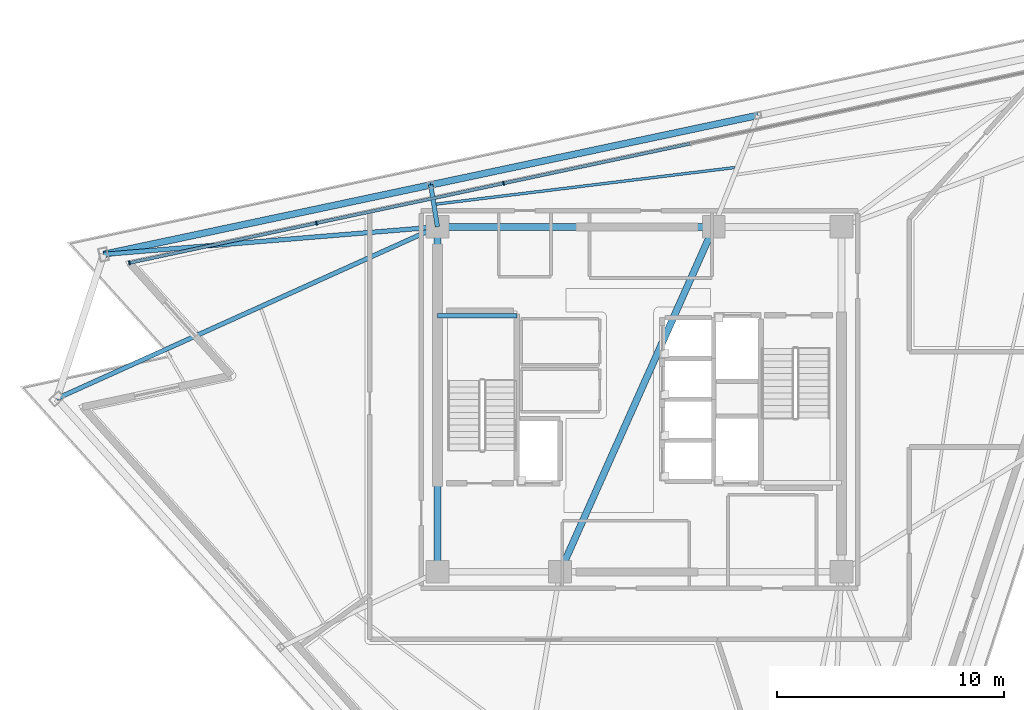
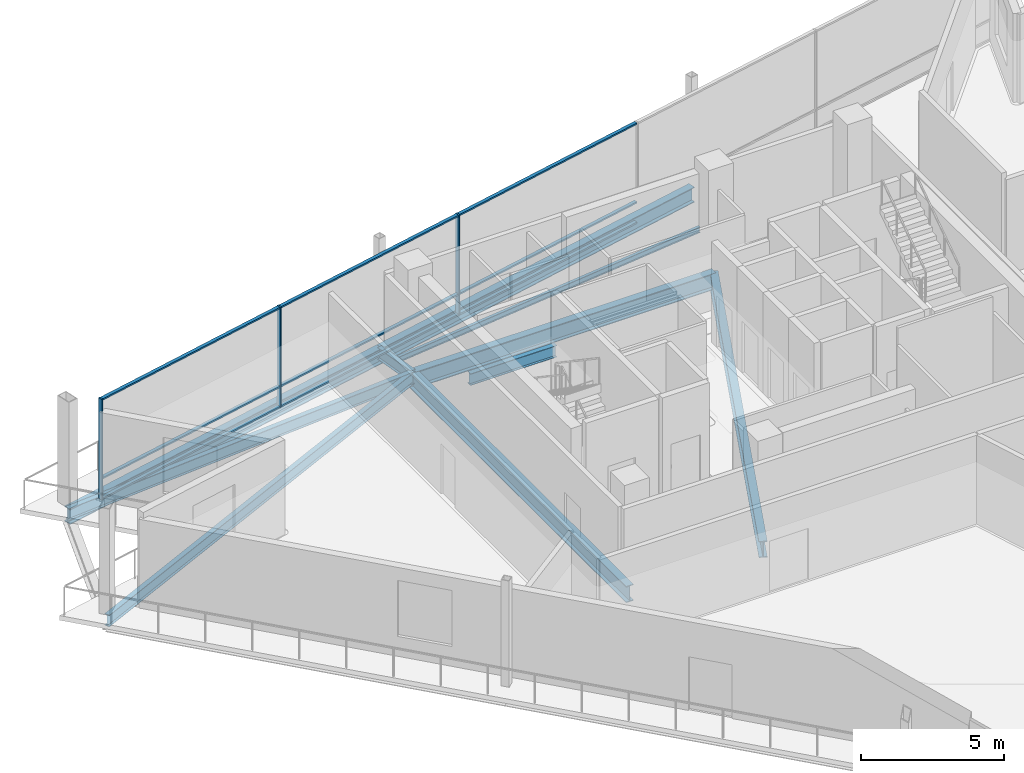
# One storey, part 4 of 11: 12 members, 10 beams, 1 element without a shape of its own.
"""IFC4 building model written with IfcOpenShell, lengths in metres."""

from ifc_helpers import new_model, si_unit, direction, frame, origin, origin_2d, place, context, subcontext, project, spatial, rectangle, i_section, extrude, material, layer, layer_set, material_profile, profile_set, type_object, element, aggregate, save


model = new_model("IFC4")

# Units and contexts
model_context = context("Model", 3, precision=1e-05, world=origin(), true_north=direction((0.0, 1.0)))
body_context = subcontext(model_context, "Body", "Model", "MODEL_VIEW")
ifc_project = project(units=[si_unit("LENGTHUNIT", "METRE"), si_unit("AREAUNIT", "SQUARE_METRE"), si_unit("VOLUMEUNIT", "CUBIC_METRE"), si_unit("PLANEANGLEUNIT", "RADIAN"), si_unit("MASSUNIT", "GRAM", prefix="KILO")], contexts=[model_context])

# Site, building, storey
site_placement = place(None, origin())
site = spatial("IfcSite", under=ifc_project, at=site_placement, CompositionType="ELEMENT")
building_placement = place(site_placement, origin())
building = spatial("IfcBuilding", under=site, at=building_placement, Name="Tharavind Bronze Gate", CompositionType="ELEMENT")
storey_placement = place(building_placement, frame((0.0, 0.0, 306.300048828125)))
storey = spatial("IfcBuildingStorey", under=building, at=storey_placement, Name="L79", CompositionType="ELEMENT", Elevation=306.300048828125)

# Curtain wall, members
ifc_material_1 = material(Name="Anodised Bronze Aluminium", Category="aluminium")
ifc_layer = layer(ifc_material_1, 0.219970703125)
ifc_layer_set = layer_set([ifc_layer], Name="Anodised Bronze Aluminium")
curtain_wall_type = type_object("IfcCurtainWallType", Name="UNITISED CURTAIN WALL CROWN", PredefinedType="USERDEFINED", material=ifc_layer_set)
curtain_wall_placement = place(storey_placement, origin())
curtain_wall = element("IfcCurtainWall", 1, at=curtain_wall_placement, inside=storey, type_object=curtain_wall_type, Name="L79 unitised curtain wall crown CW-L79-S3", ObjectType="UNITISED CURTAIN WALL", PredefinedType="USERDEFINED")
member_type_1 = type_object("IfcMemberType", Name="CURTAIN WALL BRONZE MULLION 65X180", PredefinedType="MULLION", material=ifc_material_1)
member_1_placement = place(storey_placement, frame((-5.985595703125, 9.518310546875, 0.0), z_axis=(0.0, 0.0, 1.0), x_axis=(-0.978147600734, -0.207911690818, 0.0)))
member_1 = element("IfcMember", 2, at=member_1_placement, type_object=member_type_1, Name="CW-L79-S3 mullion 4", PredefinedType="MULLION", context=body_context, shape_type="SweptSolid", body=[
    extrude(rectangle(XDim=0.06494140625, YDim=0.179931640625, at=origin_2d()), origin(), (0.0, 0.0, 1.0), 4.31005859375),
])
member_2_placement = place(storey_placement, frame((-14.2294921875, 7.76611328125, 0.0), z_axis=(0.0, 0.0, 1.0), x_axis=(-0.978147600734, -0.207911690818, 0.0)))
member_2 = element("IfcMember", 3, at=member_2_placement, type_object=member_type_1, Name="CW-L79-S3 mullion 5", PredefinedType="MULLION", context=body_context, shape_type="SweptSolid", body=[
    extrude(rectangle(XDim=0.06494140625, YDim=0.179931640625, at=origin_2d()), origin(), (0.0, 0.0, 1.0), 4.31005859375),
])
member_3_placement = place(storey_placement, frame((-22.47314453125, 6.013916015625, 0.0), z_axis=(0.0, 0.0, 1.0), x_axis=(-0.978147600734, -0.207911690818, 0.0)))
member_3 = element("IfcMember", 4, at=member_3_placement, type_object=member_type_1, Name="CW-L79-S3 mullion 6", PredefinedType="MULLION", context=body_context, shape_type="SweptSolid", body=[
    extrude(rectangle(XDim=0.06494140625, YDim=0.179931640625, at=origin_2d()), origin(), (0.0, 0.0, 1.0), 4.31005859375),
])
member_type_2 = type_object("IfcMemberType", Name="CURTAIN WALL BRONZE TRANSOM 65X140", PredefinedType="USERDEFINED", material=ifc_material_1)
member_4_placement = place(storey_placement, frame((-1.86376953125, 10.39453125, 0.0), z_axis=(0.0, 0.0, 1.0), x_axis=(-0.978147600734, -0.207911690818, 0.0)))
member_4 = element("IfcMember", 5, at=member_4_placement, type_object=member_type_2, Name="CW-L79-S3 transom TB3", ObjectType="TRANSOM", PredefinedType="USERDEFINED", context=body_context, shape_type="SweptSolid", body=[
    extrude(rectangle(XDim=8.375, YDim=0.139892578125, at=origin_2d()), origin(), (0.0, 0.0, 1.0), 0.06494140625),
])
member_5_placement = place(storey_placement, frame((-1.86376953125, 10.39453125, 0.867431640625), z_axis=(0.0, 0.0, 1.0), x_axis=(-0.978147600734, -0.207911690818, 0.0)))
member_5 = element("IfcMember", 6, at=member_5_placement, type_object=member_type_2, Name="CW-L79-S3 transom TS3", ObjectType="TRANSOM", PredefinedType="USERDEFINED", context=body_context, shape_type="SweptSolid", body=[
    extrude(rectangle(XDim=8.375, YDim=0.139892578125, at=origin_2d()), origin(), (0.0, 0.0, 1.0), 0.06494140625),
])
member_6_placement = place(storey_placement, frame((-1.86376953125, 10.39453125, 4.244873046875), z_axis=(0.0, 0.0, 1.0), x_axis=(-0.978147600734, -0.207911690818, 0.0)))
member_6 = element("IfcMember", 7, at=member_6_placement, type_object=member_type_2, Name="CW-L79-S3 transom TT3", ObjectType="TRANSOM", PredefinedType="USERDEFINED", context=body_context, shape_type="SweptSolid", body=[
    extrude(rectangle(XDim=8.375, YDim=0.139892578125, at=origin_2d()), origin(), (0.0, 0.0, 1.0), 0.06494140625),
])
member_7_placement = place(storey_placement, frame((-10.107666015625, 8.642333984375, 0.0), z_axis=(0.0, 0.0, 1.0), x_axis=(-0.978147600734, -0.207911690818, 0.0)))
member_7 = element("IfcMember", 8, at=member_7_placement, type_object=member_type_2, Name="CW-L79-S3 transom TB4", ObjectType="TRANSOM", PredefinedType="USERDEFINED", context=body_context, shape_type="SweptSolid", body=[
    extrude(rectangle(XDim=8.375, YDim=0.139892578125, at=origin_2d()), origin(), (0.0, 0.0, 1.0), 0.06494140625),
])
member_8_placement = place(storey_placement, frame((-10.107666015625, 8.642333984375, 0.867431640625), z_axis=(0.0, 0.0, 1.0), x_axis=(-0.978147600734, -0.207911690818, 0.0)))
member_8 = element("IfcMember", 9, at=member_8_placement, type_object=member_type_2, Name="CW-L79-S3 transom TS4", ObjectType="TRANSOM", PredefinedType="USERDEFINED", context=body_context, shape_type="SweptSolid", body=[
    extrude(rectangle(XDim=8.375, YDim=0.139892578125, at=origin_2d()), origin(), (0.0, 0.0, 1.0), 0.06494140625),
])
member_9_placement = place(storey_placement, frame((-10.107666015625, 8.642333984375, 4.244873046875), z_axis=(0.0, 0.0, 1.0), x_axis=(-0.978147600734, -0.207911690818, 0.0)))
member_9 = element("IfcMember", 10, at=member_9_placement, type_object=member_type_2, Name="CW-L79-S3 transom TT4", ObjectType="TRANSOM", PredefinedType="USERDEFINED", context=body_context, shape_type="SweptSolid", body=[
    extrude(rectangle(XDim=8.375, YDim=0.139892578125, at=origin_2d()), origin(), (0.0, 0.0, 1.0), 0.06494140625),
])
member_10_placement = place(storey_placement, frame((-18.351318359375, 6.889892578125, 0.0), z_axis=(0.0, 0.0, 1.0), x_axis=(-0.978147600734, -0.207911690818, 0.0)))
member_10 = element("IfcMember", 11, at=member_10_placement, type_object=member_type_2, Name="CW-L79-S3 transom TB5", ObjectType="TRANSOM", PredefinedType="USERDEFINED", context=body_context, shape_type="SweptSolid", body=[
    extrude(rectangle(XDim=8.375, YDim=0.139892578125, at=origin_2d()), origin(), (0.0, 0.0, 1.0), 0.06494140625),
])
member_11_placement = place(storey_placement, frame((-18.351318359375, 6.889892578125, 0.867431640625), z_axis=(0.0, 0.0, 1.0), x_axis=(-0.978147600734, -0.207911690818, 0.0)))
member_11 = element("IfcMember", 12, at=member_11_placement, type_object=member_type_2, Name="CW-L79-S3 transom TS5", ObjectType="TRANSOM", PredefinedType="USERDEFINED", context=body_context, shape_type="SweptSolid", body=[
    extrude(rectangle(XDim=8.375, YDim=0.139892578125, at=origin_2d()), origin(), (0.0, 0.0, 1.0), 0.06494140625),
])
member_12_placement = place(storey_placement, frame((-18.351318359375, 6.889892578125, 4.244873046875), z_axis=(0.0, 0.0, 1.0), x_axis=(-0.978147600734, -0.207911690818, 0.0)))
member_12 = element("IfcMember", 13, at=member_12_placement, type_object=member_type_2, Name="CW-L79-S3 transom TT5", ObjectType="TRANSOM", PredefinedType="USERDEFINED", context=body_context, shape_type="SweptSolid", body=[
    extrude(rectangle(XDim=8.375, YDim=0.139892578125, at=origin_2d()), origin(), (0.0, 0.0, 1.0), 0.06494140625),
])
aggregate(curtain_wall, [member_1, member_2, member_3, member_4, member_5, member_6, member_7, member_8, member_9, member_10, member_11, member_12])

# Beams
ifc_material_2 = material(Name="Steel S355", Category="steel")
ifc_material_profile_1 = material_profile(ifc_material_2, i_section(OverallWidth=0.300048828125, OverallDepth=0.64990234375, WebThickness=0.01611328125, FlangeThickness=0.031005859375, at=origin_2d()), Name="HE650B")
ifc_profile_set_1 = profile_set([ifc_material_profile_1], Name="Steel S355")
beam_type_1 = type_object("IfcBeamType", Name="PRIMARY GIRDER HE650B", PredefinedType="USERDEFINED", material=ifc_profile_set_1)
for number, where, z_axis, x_axis, name in (
    (14, (5.219970703125, 12.513671875, -0.525146484375), (-0.97814794647, -0.207910064249, 0.0), (0.207910064249, -0.97814794647, 0.0), "L79 primary girder he650b BM-L79-PRG10"),
    (15, (-9.197265625, 9.44921875, -0.525146484375), (-0.97814794647, -0.207910064249, 0.0), (0.207910064249, -0.97814794647, 0.0), "L79 primary girder he650b BM-L79-PRG11"),
):
    element("IfcBeam", number, at=place(storey_placement, frame(where, z_axis=z_axis, x_axis=x_axis)), inside=storey, type_object=beam_type_1, Name=name, ObjectType="GIRDER", PredefinedType="USERDEFINED", context=body_context, shape_type="SweptSolid", body=[
        extrude(i_section(OverallWidth=0.300048828125, OverallDepth=0.64990234375, WebThickness=0.01611328125, FlangeThickness=0.031005859375, at=origin_2d()), origin(), (0.0, 0.0, 1.0), 14.7392578125),
    ])
ifc_material_profile_2 = material_profile(ifc_material_2, i_section(OverallWidth=0.199951171875, OverallDepth=0.5, WebThickness=0.01025390625, FlangeThickness=0.01611328125, at=origin_2d()), Name="IPE500")
ifc_profile_set_2 = profile_set([ifc_material_profile_2], Name="Steel S355")
beam_type_2 = type_object("IfcBeamType", Name="PRIMARY GIRDER IPE500", PredefinedType="USERDEFINED", material=ifc_profile_set_2)
beam_1_placement = place(storey_placement, frame((-8.89990234375, 3.679931640625, 1.824951171875), z_axis=(1.0, 0.0, 0.0), x_axis=(0.0, 1.0, 0.0)))
element("IfcBeam", 16, at=beam_1_placement, inside=storey, type_object=beam_type_2, Name="L79 primary girder ipe500 BM-LD-ST1-L79-1", ObjectType="GIRDER", PredefinedType="USERDEFINED", context=body_context, shape_type="SweptSolid", body=[
    extrude(i_section(OverallWidth=0.199951171875, OverallDepth=0.5, WebThickness=0.01025390625, FlangeThickness=0.01611328125, at=origin_2d()), origin(), (0.0, 0.0, 1.0), 3.5),
])
beam_2_placement = place(storey_placement, frame((-25.6787109375, 0.03173828125, -0.449951171875), z_axis=(0.911557320277, 0.411173019361, 0.0), x_axis=(-0.411173019361, 0.911557320277, 0.0)))
element("IfcBeam", 17, at=beam_2_placement, inside=storey, type_object=beam_type_2, Name="L79 primary girder ipe500 BM-L79-RAD01", ObjectType="GIRDER", PredefinedType="USERDEFINED", context=body_context, shape_type="SweptSolid", body=[
    extrude(i_section(OverallWidth=0.199951171875, OverallDepth=0.5, WebThickness=0.01025390625, FlangeThickness=0.01611328125, at=origin_2d()), origin(), (0.0, 0.0, 1.0), 18.40673828125),
])
beam_3_placement = place(storey_placement, frame((-9.197265625, 9.44921875, -0.449951171875), z_axis=(0.15877339987, -0.987315049766, 0.0), x_axis=(0.987315049766, 0.15877339987, 0.0)))
element("IfcBeam", 18, at=beam_3_placement, inside=storey, type_object=beam_type_2, Name="L79 primary girder ipe500 BM-L79-RAD11", ObjectType="GIRDER", PredefinedType="USERDEFINED", context=body_context, shape_type="SweptSolid", body=[
    extrude(i_section(OverallWidth=0.199951171875, OverallDepth=0.5, WebThickness=0.01025390625, FlangeThickness=0.01611328125, at=origin_2d()), origin(), (0.0, 0.0, 1.0), 1.872802734375),
])
beam_4_placement = place(storey_placement, frame((-23.614501953125, 6.384765625, -0.449951171875), z_axis=(0.996606499326, 0.082313337321, 0.0), x_axis=(-0.082313337321, 0.996606499326, 0.0)))
element("IfcBeam", 19, at=beam_4_placement, inside=storey, type_object=beam_type_2, Name="L79 primary girder ipe500 BM-L79-RAD12", ObjectType="GIRDER", PredefinedType="USERDEFINED", context=body_context, shape_type="SweptSolid", body=[
    extrude(i_section(OverallWidth=0.199951171875, OverallDepth=0.5, WebThickness=0.01025390625, FlangeThickness=0.01611328125, at=origin_2d()), origin(), (0.0, 0.0, 1.0), 14.7646484375),
])
ifc_material_profile_3 = material_profile(ifc_material_2, i_section(OverallWidth=0.300048828125, OverallDepth=0.699951171875, WebThickness=0.01708984375, FlangeThickness=0.031982421875, at=origin_2d()), Name="HE700B")
ifc_profile_set_3 = profile_set([ifc_material_profile_3], Name="Steel S355")
beam_type_3 = type_object("IfcBeamType", Name="RING GIRDER HE700B", PredefinedType="USERDEFINED", material=ifc_profile_set_3)
beam_5_placement = place(storey_placement, frame((3.280029296875, 7.60009765625, -0.550048828125), z_axis=(-1.0, 0.0, 0.0), x_axis=(0.0, -1.0, 0.0)))
element("IfcBeam", 20, at=beam_5_placement, inside=storey, type_object=beam_type_3, Name="L79 ring girder he700b BM-L79-CR5", ObjectType="GIRDER", PredefinedType="USERDEFINED", context=body_context, shape_type="SweptSolid", body=[
    extrude(i_section(OverallWidth=0.300048828125, OverallDepth=0.699951171875, WebThickness=0.01708984375, FlangeThickness=0.031982421875, at=origin_2d()), origin(), (0.0, 0.0, 1.0), 12.179931640625),
])
beam_6_placement = place(storey_placement, frame((-8.89990234375, 7.60009765625, -0.550048828125), z_axis=(0.0, -1.0, 0.0), x_axis=(1.0, 0.0, 0.0)))
element("IfcBeam", 21, at=beam_6_placement, inside=storey, type_object=beam_type_3, Name="L79 ring girder he700b BM-L79-CR6", ObjectType="GIRDER", PredefinedType="USERDEFINED", context=body_context, shape_type="SweptSolid", body=[
    extrude(i_section(OverallWidth=0.300048828125, OverallDepth=0.699951171875, WebThickness=0.01708984375, FlangeThickness=0.031982421875, at=origin_2d()), origin(), (0.0, 0.0, 1.0), 15.2001953125),
])
beam_7_placement = place(storey_placement, frame((-3.5, -7.60009765625, -0.550048828125), z_axis=(0.407361644566, 0.913266932795, 0.0), x_axis=(-0.913266932795, 0.407361644566, 0.0)))
element("IfcBeam", 22, at=beam_7_placement, inside=storey, type_object=beam_type_3, Name="L79 ring girder he700b BM-L79-CR7", ObjectType="GIRDER", PredefinedType="USERDEFINED", context=body_context, shape_type="SweptSolid", body=[
    extrude(i_section(OverallWidth=0.300048828125, OverallDepth=0.699951171875, WebThickness=0.01708984375, FlangeThickness=0.031982421875, at=origin_2d()), origin(), (0.0, 0.0, 1.0), 16.643798828125),
])
ifc_material_profile_4 = material_profile(ifc_material_2, i_section(OverallWidth=0.1201171875, OverallDepth=0.239990234375, WebThickness=0.006103515625, FlangeThickness=0.009765625, at=origin_2d()), Name="IPE240")
ifc_profile_set_4 = profile_set([ifc_material_profile_4], Name="Steel S355")
beam_type_4 = type_object("IfcBeamType", Name="SECONDARY FLOOR JOIST IPE240", PredefinedType="JOIST", material=ifc_profile_set_4)
beam_8_placement = place(storey_placement, frame((4.200927734375, 10.214599609375, -0.320068359375), z_axis=(-0.992572551394, -0.121654141807, 0.0), x_axis=(0.121654141807, -0.992572551394, 0.0)))
element("IfcBeam", 23, at=beam_8_placement, inside=storey, type_object=beam_type_4, Name="L79 secondary floor joist ipe240 BM-L79-JSTA10", PredefinedType="JOIST", context=body_context, shape_type="SweptSolid", body=[
    extrude(i_section(OverallWidth=0.1201171875, OverallDepth=0.239990234375, WebThickness=0.006103515625, FlangeThickness=0.009765625, at=origin_2d()), origin(), (0.0, 0.0, 1.0), 13.255126953125),
])

save(model, "model.ifc")
